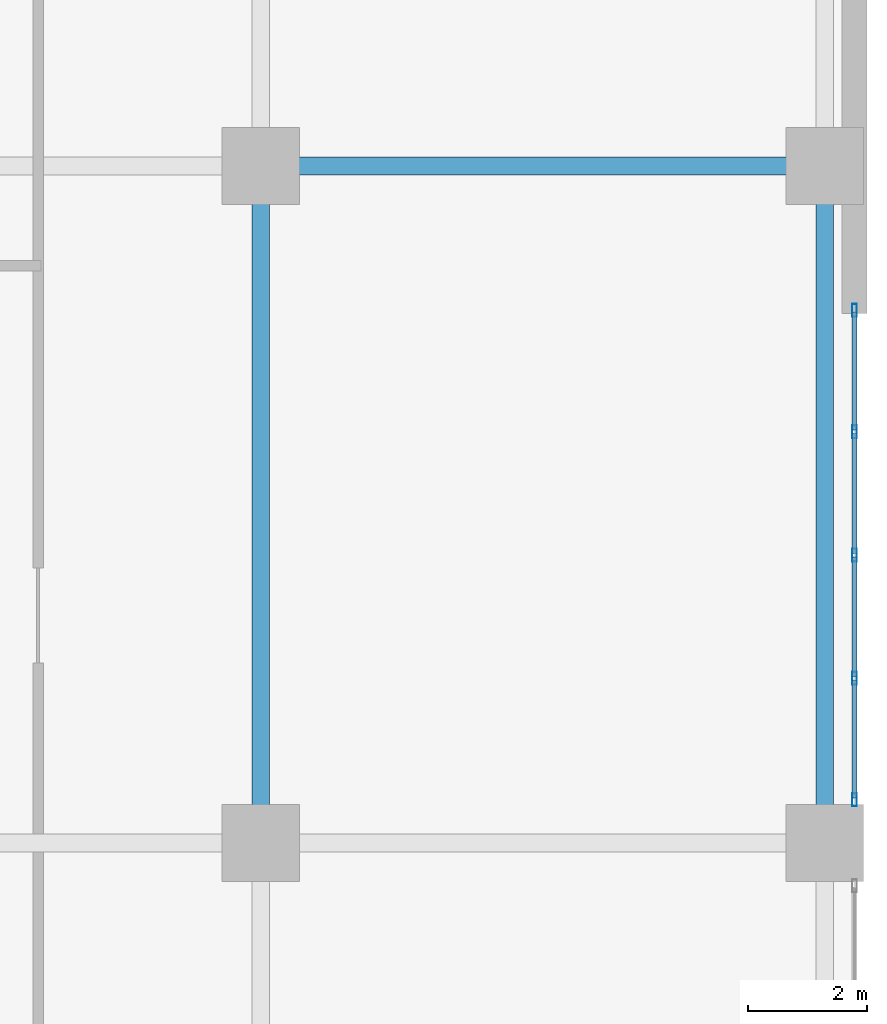
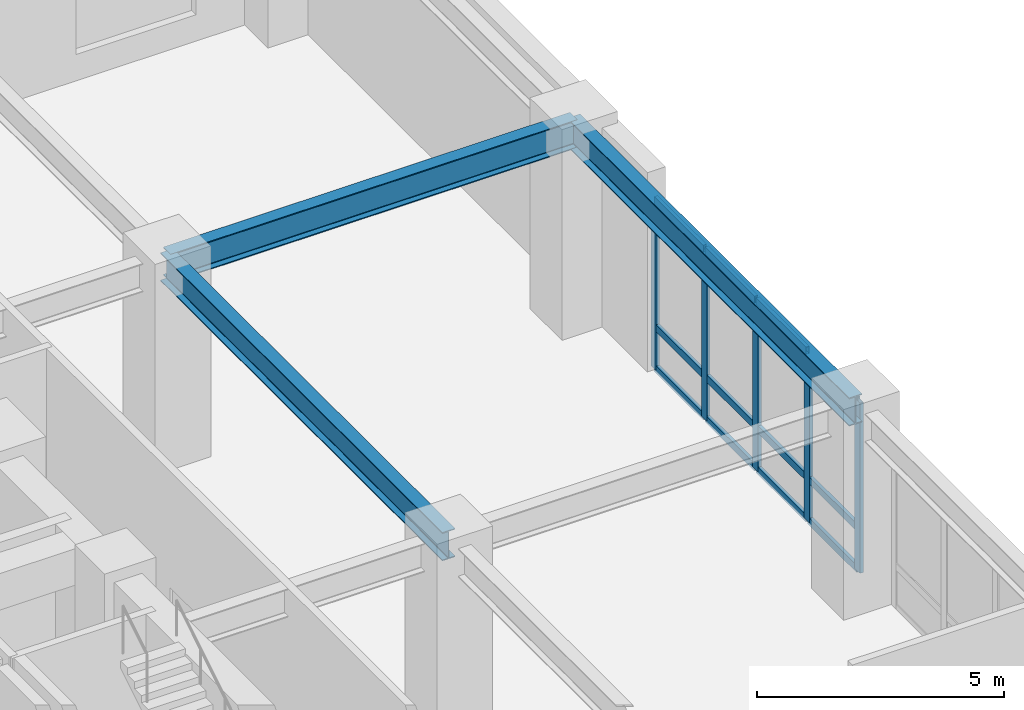
# One storey, part 17 of 27: 17 members, 3 beams, 1 element without a shape of its own.
"""IFC4 building model written with IfcOpenShell, lengths in metres."""

from ifc_helpers import new_model, si_unit, direction, frame, origin, origin_2d, place, context, subcontext, project, spatial, hollow_rectangle, i_section, extrude, material, layer, layer_set, material_profile, profile_set, type_object, element, aggregate, save


model = new_model("IFC4")

# Units and contexts
model_context = context("Model", 3, precision=1e-05, world=origin(), true_north=direction((0.0, 1.0)))
body_context = subcontext(model_context, "Body", "Model", "MODEL_VIEW")
ifc_project = project(units=[si_unit("LENGTHUNIT", "METRE"), si_unit("AREAUNIT", "SQUARE_METRE"), si_unit("VOLUMEUNIT", "CUBIC_METRE"), si_unit("PLANEANGLEUNIT", "RADIAN"), si_unit("MASSUNIT", "GRAM", prefix="KILO")], contexts=[model_context])

# Site, building, storey
site_placement = place(None, origin())
site = spatial("IfcSite", under=ifc_project, at=site_placement, CompositionType="ELEMENT")
building_placement = place(site_placement, origin())
building = spatial("IfcBuilding", under=site, at=building_placement, Name="Voryun Gate Residences", CompositionType="ELEMENT")
storey_placement = place(building_placement, frame((0.0, 0.0, 5.199951171875)))
storey = spatial("IfcBuildingStorey", under=building, at=storey_placement, Name="L01", CompositionType="ELEMENT", Elevation=5.199951171875)

# Beams
ifc_material_1 = material(Name="Steel SM355", Category="steel")
ifc_material_profile_1 = material_profile(ifc_material_1, i_section(OverallWidth=0.300048828125, OverallDepth=0.699951171875, WebThickness=0.012939453125, FlangeThickness=0.02392578125, FilletRadius=0.01806640625, at=origin_2d()), Name="H-700x300x13x24")
ifc_profile_set_1 = profile_set([ifc_material_profile_1], Name="Steel SM355")
beam_type = type_object("IfcBeamType", Name="BM_GIRD_700", PredefinedType="USERDEFINED", material=ifc_profile_set_1)
beam_placement = place(storey_placement, frame((25.60009765625, 11.39990234375, 4.570068359375), z_axis=(1.0, 0.0, 0.0), x_axis=(0.0, 1.0, 0.0)))
element("IfcBeam", 1, at=beam_placement, inside=storey, type_object=beam_type, Name="BM-L01-PEX-+11.4-1", ObjectType="GIRDER", PredefinedType="USERDEFINED", context=body_context, shape_type="SweptSolid", body=[
    extrude(i_section(OverallWidth=0.300048828125, OverallDepth=0.699951171875, WebThickness=0.012939453125, FlangeThickness=0.02392578125, FilletRadius=0.01806640625, at=origin_2d()), origin(), (0.0, 0.0, 1.0), 9.5),
])
for number, where, z_axis, x_axis, name in (
    (2, (25.60009765625, 0.0, 4.570068359375), (0.0, 1.0, 0.0), (-1.0, 0.0, 0.0), "BM-L01-PEY-+25.6-2"),
    (3, (35.10009765625, 0.0, 4.570068359375), (0.0, 1.0, 0.0), (-1.0, 0.0, 0.0), "BM-L01-PEY-+35.1-2"),
):
    element("IfcBeam", number, at=place(storey_placement, frame(where, z_axis=z_axis, x_axis=x_axis)), inside=storey, type_object=beam_type, Name=name, ObjectType="GIRDER", PredefinedType="USERDEFINED", context=body_context, shape_type="SweptSolid", body=[
        extrude(i_section(OverallWidth=0.300048828125, OverallDepth=0.699951171875, WebThickness=0.012939453125, FlangeThickness=0.02392578125, FilletRadius=0.01806640625, at=origin_2d()), origin(), (0.0, 0.0, 1.0), 11.39990234375),
    ])

# Curtain wall, members
ifc_material_2 = material(Name="Anodised aluminium", Category="aluminium")
ifc_layer = layer(ifc_material_2, 0.219970703125, Name="CW_SYS_POD_DARK_GLASS")
ifc_layer_set = layer_set([ifc_layer], Name="Anodised aluminium")
curtain_wall_type = type_object("IfcCurtainWallType", Name="CW_SYS_POD_DARK_GLASS", PredefinedType="NOTDEFINED", material=ifc_layer_set)
curtain_wall_placement = place(storey_placement, origin())
curtain_wall = element("IfcCurtainWall", 4, at=curtain_wall_placement, inside=storey, type_object=curtain_wall_type, Name="Curtain wall CW1-L01-EPE-N", PredefinedType="NOTDEFINED")
ifc_material_3 = material(Name="Anodised aluminium", Category="aluminium")
ifc_material_profile_2 = material_profile(ifc_material_3, hollow_rectangle(XDim=0.080078125, YDim=0.219970703125, WallThickness=0.0048828125, at=origin_2d()), Name="ALU-MULL-220x80x5")
ifc_profile_set_2 = profile_set([ifc_material_profile_2], Name="Anodised aluminium")
member_type_1 = type_object("IfcMemberType", Name="CW_MULL_POD", PredefinedType="MULLION", material=ifc_profile_set_2)
member_1_placement = place(storey_placement, frame((35.60009765625, 0.72509765625, 0.0), z_axis=(0.0, 0.0, 1.0), x_axis=(-1.0, 0.0, 0.0)))
member_1 = element("IfcMember", 5, at=member_1_placement, type_object=member_type_1, Name="CW1 mullion 1", PredefinedType="MULLION", context=body_context, shape_type="SweptSolid", body=[
    extrude(hollow_rectangle(XDim=0.080078125, YDim=0.219970703125, WallThickness=0.0048828125, at=origin_2d()), origin(), (0.0, 0.0, 1.0), 4.199951171875),
])
member_2_placement = place(storey_placement, frame((35.60009765625, 2.771240234375, 0.0), z_axis=(0.0, 0.0, 1.0), x_axis=(-1.0, 0.0, 0.0)))
member_2 = element("IfcMember", 6, at=member_2_placement, type_object=member_type_1, Name="CW1 mullion 2", PredefinedType="MULLION", context=body_context, shape_type="SweptSolid", body=[
    extrude(hollow_rectangle(XDim=0.080078125, YDim=0.219970703125, WallThickness=0.0048828125, at=origin_2d()), origin(), (0.0, 0.0, 1.0), 4.199951171875),
])
member_3_placement = place(storey_placement, frame((35.60009765625, 4.847412109375, 0.0), z_axis=(0.0, 0.0, 1.0), x_axis=(-1.0, 0.0, 0.0)))
member_3 = element("IfcMember", 7, at=member_3_placement, type_object=member_type_1, Name="CW1 mullion 3", PredefinedType="MULLION", context=body_context, shape_type="SweptSolid", body=[
    extrude(hollow_rectangle(XDim=0.080078125, YDim=0.219970703125, WallThickness=0.0048828125, at=origin_2d()), origin(), (0.0, 0.0, 1.0), 4.199951171875),
])
member_4_placement = place(storey_placement, frame((35.60009765625, 6.923828125, 0.0), z_axis=(0.0, 0.0, 1.0), x_axis=(-1.0, 0.0, 0.0)))
member_4 = element("IfcMember", 8, at=member_4_placement, type_object=member_type_1, Name="CW1 mullion 4", PredefinedType="MULLION", context=body_context, shape_type="SweptSolid", body=[
    extrude(hollow_rectangle(XDim=0.080078125, YDim=0.219970703125, WallThickness=0.0048828125, at=origin_2d()), origin(), (0.0, 0.0, 1.0), 4.199951171875),
])
member_5_placement = place(storey_placement, frame((35.60009765625, 8.969970703125, 0.0), z_axis=(0.0, 0.0, 1.0), x_axis=(-1.0, 0.0, 0.0)))
member_5 = element("IfcMember", 9, at=member_5_placement, type_object=member_type_1, Name="CW1 mullion 5", PredefinedType="MULLION", context=body_context, shape_type="SweptSolid", body=[
    extrude(hollow_rectangle(XDim=0.080078125, YDim=0.219970703125, WallThickness=0.0048828125, at=origin_2d()), origin(), (0.0, 0.0, 1.0), 4.199951171875),
])
ifc_material_4 = material(Name="Anodised aluminium", Category="aluminium")
ifc_material_profile_3 = material_profile(ifc_material_4, hollow_rectangle(XDim=0.080078125, YDim=0.179931640625, WallThickness=0.0048828125, at=origin_2d()), Name="ALU-TRAN-180x80x5")
ifc_profile_set_3 = profile_set([ifc_material_profile_3], Name="Anodised aluminium")
member_type_2 = type_object("IfcMemberType", Name="CW_TRAN_POD", PredefinedType="USERDEFINED", material=ifc_profile_set_3)
member_6_placement = place(storey_placement, frame((35.60009765625, 0.7548828125, 0.030029296875), z_axis=(0.0, 1.0, 0.0), x_axis=(-1.0, 0.0, 0.0)))
member_6 = element("IfcMember", 10, at=member_6_placement, type_object=member_type_2, Name="CW1 transom 1.1", ObjectType="TRANSOM", PredefinedType="USERDEFINED", context=body_context, shape_type="SweptSolid", body=[
    extrude(hollow_rectangle(XDim=0.080078125, YDim=0.179931640625, WallThickness=0.0048828125, at=origin_2d()), origin(), (0.0, 0.0, 1.0), 1.986328125),
])
member_7_placement = place(storey_placement, frame((35.60009765625, 0.7548828125, 1.050048828125), z_axis=(0.0, 1.0, 0.0), x_axis=(-1.0, 0.0, 0.0)))
member_7 = element("IfcMember", 11, at=member_7_placement, type_object=member_type_2, Name="CW1 transom 1.2", ObjectType="TRANSOM", PredefinedType="USERDEFINED", context=body_context, shape_type="SweptSolid", body=[
    extrude(hollow_rectangle(XDim=0.080078125, YDim=0.179931640625, WallThickness=0.0048828125, at=origin_2d()), origin(), (0.0, 0.0, 1.0), 1.986328125),
])
member_8_placement = place(storey_placement, frame((35.60009765625, 0.7548828125, 4.170166015625), z_axis=(0.0, 1.0, 0.0), x_axis=(-1.0, 0.0, 0.0)))
member_8 = element("IfcMember", 12, at=member_8_placement, type_object=member_type_2, Name="CW1 transom 1.3", ObjectType="TRANSOM", PredefinedType="USERDEFINED", context=body_context, shape_type="SweptSolid", body=[
    extrude(hollow_rectangle(XDim=0.080078125, YDim=0.179931640625, WallThickness=0.0048828125, at=origin_2d()), origin(), (0.0, 0.0, 1.0), 1.986328125),
])
member_9_placement = place(storey_placement, frame((35.60009765625, 2.80126953125, 0.030029296875), z_axis=(0.0, 1.0, 0.0), x_axis=(-1.0, 0.0, 0.0)))
member_9 = element("IfcMember", 13, at=member_9_placement, type_object=member_type_2, Name="CW1 transom 2.1", ObjectType="TRANSOM", PredefinedType="USERDEFINED", context=body_context, shape_type="SweptSolid", body=[
    extrude(hollow_rectangle(XDim=0.080078125, YDim=0.179931640625, WallThickness=0.0048828125, at=origin_2d()), origin(), (0.0, 0.0, 1.0), 2.01611328125),
])
member_10_placement = place(storey_placement, frame((35.60009765625, 2.80126953125, 1.050048828125), z_axis=(0.0, 1.0, 0.0), x_axis=(-1.0, 0.0, 0.0)))
member_10 = element("IfcMember", 14, at=member_10_placement, type_object=member_type_2, Name="CW1 transom 2.2", ObjectType="TRANSOM", PredefinedType="USERDEFINED", context=body_context, shape_type="SweptSolid", body=[
    extrude(hollow_rectangle(XDim=0.080078125, YDim=0.179931640625, WallThickness=0.0048828125, at=origin_2d()), origin(), (0.0, 0.0, 1.0), 2.01611328125),
])
member_11_placement = place(storey_placement, frame((35.60009765625, 2.80126953125, 4.170166015625), z_axis=(0.0, 1.0, 0.0), x_axis=(-1.0, 0.0, 0.0)))
member_11 = element("IfcMember", 15, at=member_11_placement, type_object=member_type_2, Name="CW1 transom 2.3", ObjectType="TRANSOM", PredefinedType="USERDEFINED", context=body_context, shape_type="SweptSolid", body=[
    extrude(hollow_rectangle(XDim=0.080078125, YDim=0.179931640625, WallThickness=0.0048828125, at=origin_2d()), origin(), (0.0, 0.0, 1.0), 2.01611328125),
])
member_12_placement = place(storey_placement, frame((35.60009765625, 4.87744140625, 0.030029296875), z_axis=(0.0, 1.0, 0.0), x_axis=(-1.0, 0.0, 0.0)))
member_12 = element("IfcMember", 16, at=member_12_placement, type_object=member_type_2, Name="CW1 transom 3.1", ObjectType="TRANSOM", PredefinedType="USERDEFINED", context=body_context, shape_type="SweptSolid", body=[
    extrude(hollow_rectangle(XDim=0.080078125, YDim=0.179931640625, WallThickness=0.0048828125, at=origin_2d()), origin(), (0.0, 0.0, 1.0), 2.016357421875),
])
member_13_placement = place(storey_placement, frame((35.60009765625, 4.87744140625, 1.050048828125), z_axis=(0.0, 1.0, 0.0), x_axis=(-1.0, 0.0, 0.0)))
member_13 = element("IfcMember", 17, at=member_13_placement, type_object=member_type_2, Name="CW1 transom 3.2", ObjectType="TRANSOM", PredefinedType="USERDEFINED", context=body_context, shape_type="SweptSolid", body=[
    extrude(hollow_rectangle(XDim=0.080078125, YDim=0.179931640625, WallThickness=0.0048828125, at=origin_2d()), origin(), (0.0, 0.0, 1.0), 2.016357421875),
])
member_14_placement = place(storey_placement, frame((35.60009765625, 4.87744140625, 4.170166015625), z_axis=(0.0, 1.0, 0.0), x_axis=(-1.0, 0.0, 0.0)))
member_14 = element("IfcMember", 18, at=member_14_placement, type_object=member_type_2, Name="CW1 transom 3.3", ObjectType="TRANSOM", PredefinedType="USERDEFINED", context=body_context, shape_type="SweptSolid", body=[
    extrude(hollow_rectangle(XDim=0.080078125, YDim=0.179931640625, WallThickness=0.0048828125, at=origin_2d()), origin(), (0.0, 0.0, 1.0), 2.016357421875),
])
member_15_placement = place(storey_placement, frame((35.60009765625, 6.953857421875, 0.030029296875), z_axis=(0.0, 1.0, 0.0), x_axis=(-1.0, 0.0, 0.0)))
member_15 = element("IfcMember", 19, at=member_15_placement, type_object=member_type_2, Name="CW1 transom 4.1", ObjectType="TRANSOM", PredefinedType="USERDEFINED", context=body_context, shape_type="SweptSolid", body=[
    extrude(hollow_rectangle(XDim=0.080078125, YDim=0.179931640625, WallThickness=0.0048828125, at=origin_2d()), origin(), (0.0, 0.0, 1.0), 1.986083984375),
])
member_16_placement = place(storey_placement, frame((35.60009765625, 6.953857421875, 1.050048828125), z_axis=(0.0, 1.0, 0.0), x_axis=(-1.0, 0.0, 0.0)))
member_16 = element("IfcMember", 20, at=member_16_placement, type_object=member_type_2, Name="CW1 transom 4.2", ObjectType="TRANSOM", PredefinedType="USERDEFINED", context=body_context, shape_type="SweptSolid", body=[
    extrude(hollow_rectangle(XDim=0.080078125, YDim=0.179931640625, WallThickness=0.0048828125, at=origin_2d()), origin(), (0.0, 0.0, 1.0), 1.986083984375),
])
member_17_placement = place(storey_placement, frame((35.60009765625, 6.953857421875, 4.170166015625), z_axis=(0.0, 1.0, 0.0), x_axis=(-1.0, 0.0, 0.0)))
member_17 = element("IfcMember", 21, at=member_17_placement, type_object=member_type_2, Name="CW1 transom 4.3", ObjectType="TRANSOM", PredefinedType="USERDEFINED", context=body_context, shape_type="SweptSolid", body=[
    extrude(hollow_rectangle(XDim=0.080078125, YDim=0.179931640625, WallThickness=0.0048828125, at=origin_2d()), origin(), (0.0, 0.0, 1.0), 1.986083984375),
])
aggregate(curtain_wall, [member_1, member_2, member_3, member_4, member_5, member_6, member_7, member_8, member_9, member_10, member_11, member_12, member_13, member_14, member_15, member_16, member_17])

save(model, "model.ifc")
